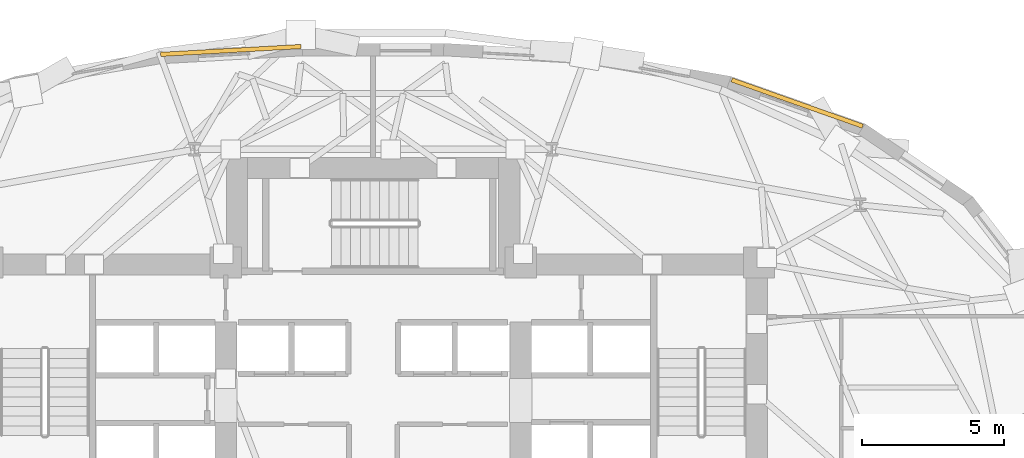
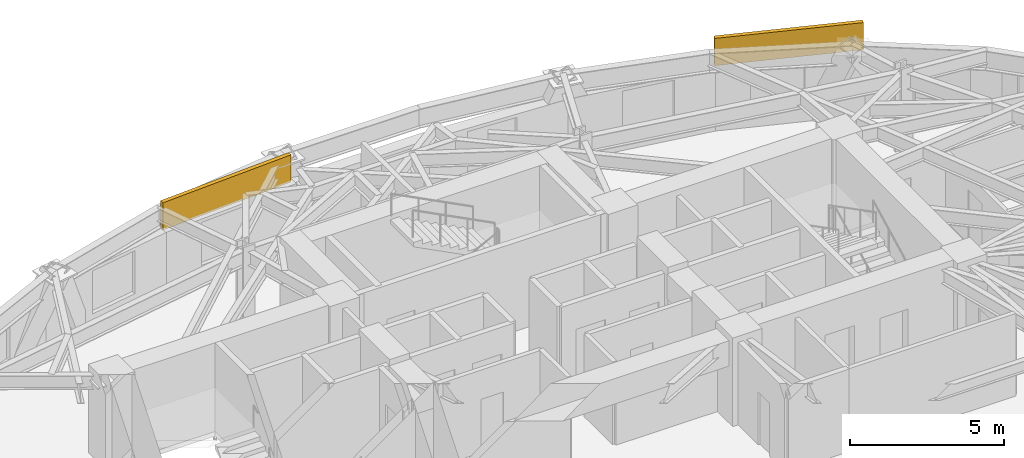
# One storey, part 13 of 13: 2 coverings.
"""IFC4 building model written with IfcOpenShell, lengths in metres."""

from ifc_helpers import new_model, si_unit, direction, frame, origin, origin_2d, place, context, subcontext, project, spatial, rectangle, extrude, material, layer, layer_set, type_object, element, save


model = new_model("IFC4")

# Units and contexts
model_context = context("Model", 3, precision=1e-05, world=origin(), true_north=direction((0.0, 1.0)))
body_context = subcontext(model_context, "Body", "Model", "MODEL_VIEW")
ifc_project = project(units=[si_unit("LENGTHUNIT", "METRE"), si_unit("AREAUNIT", "SQUARE_METRE"), si_unit("VOLUMEUNIT", "CUBIC_METRE"), si_unit("PLANEANGLEUNIT", "RADIAN"), si_unit("MASSUNIT", "GRAM", prefix="KILO")], contexts=[model_context])

# Site, building, storey
site_placement = place(None, origin())
site = spatial("IfcSite", under=ifc_project, at=site_placement, CompositionType="ELEMENT")
building_placement = place(site_placement, origin())
building = spatial("IfcBuilding", under=site, at=building_placement, Name="Keldmark Tower", CompositionType="ELEMENT")
storey_placement = place(building_placement, frame((0.0, 0.0, 131.60009765625)))
storey = spatial("IfcBuildingStorey", under=building, at=storey_placement, Name="L35", CompositionType="ELEMENT", Elevation=131.60009765625)

# Coverings
ifc_material = material(Name="Honed Kasota Buff Dolomitic Limestone", Category="masonry")
ifc_layer = layer(ifc_material, 0.074951171875)
ifc_layer_set = layer_set([ifc_layer], Name="Honed Kasota Buff Dolomitic Limestone")
covering_type = type_object("IfcCoveringType", Name="Kasota Buff Limestone Spandrel Cladding Band", PredefinedType="CLADDING", material=ifc_layer_set)
covering_1_placement = place(storey_placement, frame((14.947998046875, 15.0673828125, 2.40185546875), z_axis=(0.0, 0.0, 1.0), x_axis=(-0.942781233081, 0.333411977216, 0.0)))
element("IfcCovering", 1, at=covering_1_placement, inside=storey, type_object=covering_type, Name="L35 Kasota Limestone Spandrel Band 05", PredefinedType="CLADDING", context=body_context, shape_type="SweptSolid", body=[
    extrude(rectangle(XDim=4.898193359375, YDim=0.14990234375, at=origin_2d()), origin(), (0.0, 0.0, 1.0), 1.077880859375),
])
covering_2_placement = place(storey_placement, frame((-5.019287109375, 16.92138671875, 2.40185546875), z_axis=(0.0, 0.0, 1.0), x_axis=(-0.998430028822, -0.056013190829, 0.0)))
element("IfcCovering", 2, at=covering_2_placement, inside=storey, type_object=covering_type, Name="L35 Kasota Limestone Spandrel Band 09", PredefinedType="CLADDING", context=body_context, shape_type="SweptSolid", body=[
    extrude(rectangle(XDim=4.949462890625, YDim=0.14990234375, at=origin_2d()), origin(), (0.0, 0.0, 1.0), 1.077880859375),
])

save(model, "model.ifc")
